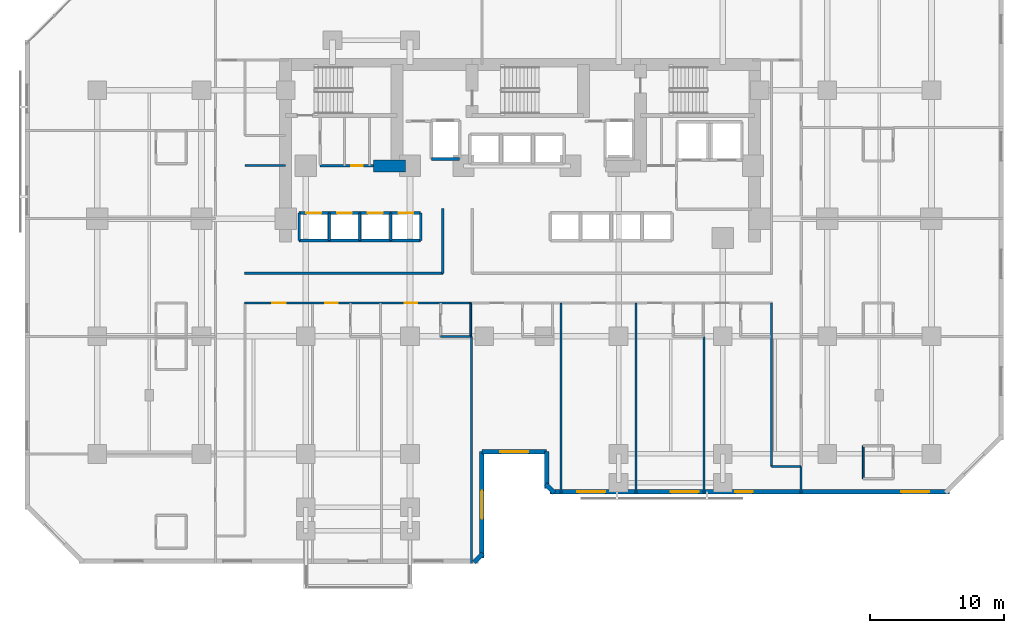
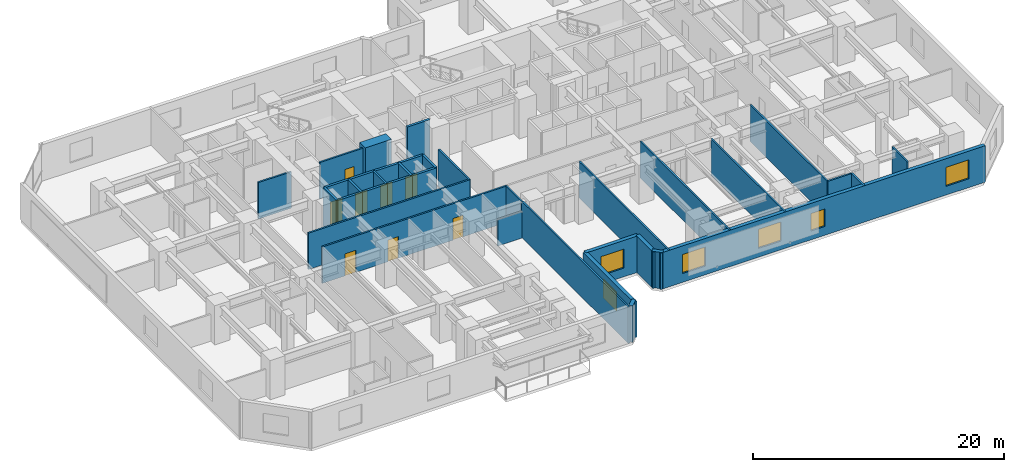
# One storey, part 6 of 12: 36 walls, 8 doors, 6 windows, 14 openings.
"""IFC4 building model written with IfcOpenShell, lengths in metres."""

from ifc_helpers import new_model, si_unit, direction, frame, frame_2d, origin, place, context, subcontext, project, spatial, rectangle, extrude, material, layer, layer_set, type_object, element, fill, save


model = new_model("IFC4")

# Units and contexts
model_context = context("Model", 3, precision=1e-05, world=origin(), true_north=direction((0.0, 1.0)))
body_context = subcontext(model_context, "Body", "Model", "MODEL_VIEW")
ifc_project = project(units=[si_unit("LENGTHUNIT", "METRE"), si_unit("AREAUNIT", "SQUARE_METRE"), si_unit("VOLUMEUNIT", "CUBIC_METRE"), si_unit("PLANEANGLEUNIT", "RADIAN"), si_unit("MASSUNIT", "GRAM", prefix="KILO")], contexts=[model_context])

# Site, building, storey
site_placement = place(None, origin())
site = spatial("IfcSite", under=ifc_project, at=site_placement, CompositionType="ELEMENT")
building_placement = place(site_placement, origin())
building = spatial("IfcBuilding", under=site, at=building_placement, Name="Kestravale Grand Hotel", CompositionType="ELEMENT")
storey_placement = place(building_placement, frame((0.0, 0.0, 41.199951171875)))
storey = spatial("IfcBuildingStorey", under=building, at=storey_placement, Name="L09", CompositionType="ELEMENT", Elevation=41.199951171875)

# Walls
ifc_material_1 = material(Name="Concrete f'c 70 MPa", Category="concrete")
ifc_layer_1 = layer(ifc_material_1, 0.89990234375)
ifc_layer_set_1 = layer_set([ifc_layer_1], Name="EW-CORE-900")
wall_type_1 = type_object("IfcWallType", Name="EW-CORE-900", PredefinedType="SHEAR", material=ifc_layer_set_1)
wall_1_placement = place(storey_placement, frame((28.449951171875, 32.75, 0.0), z_axis=(0.0, 0.0, 1.0), x_axis=(1.0, 0.0, 0.0)))
element("IfcWall", 1, at=wall_1_placement, inside=storey, type_object=wall_type_1, Name="L09 core shear wall S1", PredefinedType="SHEAR", context=body_context, shape_type="SweptSolid", body=[
    extrude(rectangle(XDim=2.400146484375, YDim=0.89990234375, at=frame_2d((1.2001953125, 0.0))), origin(), (0.0, 0.0, 1.0), 3.800048828125),
])
ifc_material_2 = material(Name="Precast concrete f'c 45 MPa", Category="concrete")
ifc_layer_2 = layer(ifc_material_2, 0.340087890625)
ifc_layer_set_2 = layer_set([ifc_layer_2], Name="EW-PREC-340")
wall_type_2 = type_object("IfcWallType", Name="EW-PREC-340", PredefinedType="SOLIDWALL", material=ifc_layer_set_2)
wall_2_placement = place(storey_placement, frame((36.00146484375, 3.091796875, 0.0), z_axis=(0.0, 0.0, 1.0), x_axis=(0.707106781187, 0.707106781187, 0.0)))
element("IfcWall", 2, at=wall_2_placement, inside=storey, type_object=wall_type_2, Name="L09 fluted precast facade wall 2", PredefinedType="SOLIDWALL", context=body_context, shape_type="SweptSolid", body=[
    extrude(rectangle(XDim=0.9287109375, YDim=0.340087890625, at=frame_2d((0.46435546875, 0.0))), origin(), (0.0, 0.0, 1.0), 3.5400390625),
])

# Wall, opening, window
wall_3_placement = place(storey_placement, frame((36.580078125, 3.429931640625, 0.0), z_axis=(0.0, 0.0, 1.0), x_axis=(0.0, 1.0, 0.0)))
wall_3 = element("IfcWall", 3, at=wall_3_placement, inside=storey, type_object=wall_type_2, Name="L09 fluted precast facade wall 3", PredefinedType="SOLIDWALL", context=body_context, shape_type="SweptSolid", body=[
    extrude(rectangle(XDim=7.940185546875, YDim=0.340087890625, at=frame_2d((3.97021484375, 0.0))), origin(), (0.0, 0.0, 1.0), 3.5400390625),
])
opening_1_placement = place(wall_3_placement, frame((2.919921875, 0.0, 0.85009765625)))
opening_1 = element("IfcOpeningElement", 4, at=opening_1_placement, cuts=wall_3, Name="Opening W-GUEST-2100", PredefinedType="OPENING", context=body_context, shape_type="SweptSolid", body=[
    extrude(rectangle(XDim=2.10009765625, YDim=1.85009765625, at=frame_2d((1.050048828125, 0.925048828125))), frame((0.0, 0.179931640625, 0.0), z_axis=(0.0, -1.0, 0.0), x_axis=(1.0, 0.0, 0.0)), (0.0, 0.0, 1.0), 0.360107421875),
])
ifc_material_3 = material(Name="Insulated low-E double glazing in aluminium frame", Category="aluminium")
window_type_1 = type_object("IfcWindowType", Name="W-GUEST-2100", PartitioningType="DOUBLE_PANEL_VERTICAL", PredefinedType="WINDOW", material=ifc_material_3)
window_1_placement = place(opening_1_placement, origin())
window_1 = element("IfcWindow", 5, at=window_1_placement, inside=storey, type_object=window_type_1, Name="L09 exterior window 3.1", OverallHeight=1.85009765625, OverallWidth=2.10009765625, PartitioningType="SINGLE_PANEL", PredefinedType="WINDOW", context=body_context, shape_type="SweptSolid", body=[
    extrude(rectangle(XDim=2.10009765625, YDim=1.85009765625, at=frame_2d((1.050048828125, 0.925048828125))), frame((0.0, 0.030029296875, 0.0), z_axis=(0.0, -1.0, 0.0), x_axis=(1.0, 0.0, 0.0)), (0.0, 0.0, 1.0), 0.06005859375),
])
fill(opening_1, window_1)

wall_4_placement = place(storey_placement, frame((36.580078125, 11.3701171875, 0.0), z_axis=(0.0, 0.0, 1.0), x_axis=(1.0, 0.0, 0.0)))
wall_4 = element("IfcWall", 6, at=wall_4_placement, inside=storey, type_object=wall_type_2, Name="L09 fluted precast facade wall 4", PredefinedType="SOLIDWALL", context=body_context, shape_type="SweptSolid", body=[
    extrude(rectangle(XDim=4.83984375, YDim=0.340087890625, at=frame_2d((2.419921875, 0.0))), origin(), (0.0, 0.0, 1.0), 3.5400390625),
])
opening_2_placement = place(wall_4_placement, frame((1.3701171875, 0.0, 0.85009765625)))
opening_2 = element("IfcOpeningElement", 7, at=opening_2_placement, cuts=wall_4, Name="Opening W-GUEST-2100", PredefinedType="OPENING", context=body_context, shape_type="SweptSolid", body=[
    extrude(rectangle(XDim=2.10009765625, YDim=1.85009765625, at=frame_2d((1.050048828125, 0.925048828125))), frame((0.0, 0.179931640625, 0.0), z_axis=(0.0, -1.0, 0.0), x_axis=(1.0, 0.0, 0.0)), (0.0, 0.0, 1.0), 0.360107421875),
])
window_2_placement = place(opening_2_placement, origin())
window_2 = element("IfcWindow", 8, at=window_2_placement, inside=storey, type_object=window_type_1, Name="L09 exterior window 4.1", OverallHeight=1.85009765625, OverallWidth=2.10009765625, PartitioningType="SINGLE_PANEL", PredefinedType="WINDOW", context=body_context, shape_type="SweptSolid", body=[
    extrude(rectangle(XDim=2.10009765625, YDim=1.85009765625, at=frame_2d((1.050048828125, 0.925048828125))), frame((0.0, 0.030029296875, 0.0), z_axis=(0.0, -1.0, 0.0), x_axis=(1.0, 0.0, 0.0)), (0.0, 0.0, 1.0), 0.06005859375),
])
fill(opening_2, window_2)

# Walls
wall_5_placement = place(storey_placement, frame((41.419921875, 11.3701171875, 0.0), z_axis=(0.0, 0.0, 1.0), x_axis=(0.0, -1.0, 0.0)))
element("IfcWall", 9, at=wall_5_placement, inside=storey, type_object=wall_type_2, Name="L09 fluted precast facade wall 5", PredefinedType="SOLIDWALL", context=body_context, shape_type="SweptSolid", body=[
    extrude(rectangle(XDim=2.740234375, YDim=0.340087890625, at=frame_2d((1.3701171875, 0.0))), origin(), (0.0, 0.0, 1.0), 3.5400390625),
])
wall_6_placement = place(storey_placement, frame((41.341796875, 8.948486328125, 0.0), z_axis=(0.0, 0.0, 1.0), x_axis=(0.707238225886, -0.706975312048, 0.0)))
element("IfcWall", 10, at=wall_6_placement, inside=storey, type_object=wall_type_2, Name="L09 fluted precast facade wall 6", PredefinedType="SOLIDWALL", context=body_context, shape_type="SweptSolid", body=[
    extrude(rectangle(XDim=0.9287109375, YDim=0.340087890625, at=frame_2d((0.46435546875, 0.0))), origin(), (0.0, 0.0, 1.0), 3.5400390625),
])

# Wall, openings, windows
wall_7_placement = place(storey_placement, frame((41.679931640625, 8.3701171875, 0.0), z_axis=(0.0, 0.0, 1.0), x_axis=(1.0, 0.0, 0.0)))
wall_7 = element("IfcWall", 11, at=wall_7_placement, inside=storey, type_object=wall_type_2, Name="L09 fluted precast facade wall 7", PredefinedType="SOLIDWALL", context=body_context, shape_type="SweptSolid", body=[
    extrude(rectangle(XDim=29.89013671875, YDim=0.340087890625, at=frame_2d((14.945068359375, 0.0))), origin(), (0.0, 0.0, 1.0), 3.5400390625),
])
opening_3_placement = place(wall_7_placement, frame((2.0361328125, 0.0, 0.85009765625)))
opening_3 = element("IfcOpeningElement", 12, at=opening_3_placement, cuts=wall_7, Name="Opening W-GUEST-2100", PredefinedType="OPENING", context=body_context, shape_type="SweptSolid", body=[
    extrude(rectangle(XDim=2.10009765625, YDim=1.85009765625, at=frame_2d((1.050048828125, 0.925048828125))), frame((0.0, 0.179931640625, 0.0), z_axis=(0.0, -1.0, 0.0), x_axis=(1.0, 0.0, 0.0)), (0.0, 0.0, 1.0), 0.360107421875),
])
opening_4_placement = place(wall_7_placement, frame((9.0087890625, 0.0, 0.85009765625)))
opening_4 = element("IfcOpeningElement", 13, at=opening_4_placement, cuts=wall_7, Name="Opening W-GUEST-2100", PredefinedType="OPENING", context=body_context, shape_type="SweptSolid", body=[
    extrude(rectangle(XDim=2.10009765625, YDim=1.85009765625, at=frame_2d((1.050048828125, 0.925048828125))), frame((0.0, 0.179931640625, 0.0), z_axis=(0.0, -1.0, 0.0), x_axis=(1.0, 0.0, 0.0)), (0.0, 0.0, 1.0), 0.360107421875),
])
opening_5_placement = place(wall_7_placement, frame((26.253662109375, 0.0, 0.85009765625)))
opening_5 = element("IfcOpeningElement", 14, at=opening_5_placement, cuts=wall_7, Name="Opening W-GUEST-2100", PredefinedType="OPENING", context=body_context, shape_type="SweptSolid", body=[
    extrude(rectangle(XDim=2.10009765625, YDim=1.85009765625, at=frame_2d((1.050048828125, 0.925048828125))), frame((0.0, 0.179931640625, 0.0), z_axis=(0.0, -1.0, 0.0), x_axis=(1.0, 0.0, 0.0)), (0.0, 0.0, 1.0), 0.360107421875),
])
opening_6_placement = place(wall_7_placement, frame((13.844970703125, 0.0, 0.85009765625)))
opening_6 = element("IfcOpeningElement", 15, at=opening_6_placement, cuts=wall_7, Name="Opening W-GUEST-1300", PredefinedType="OPENING", context=body_context, shape_type="SweptSolid", body=[
    extrude(rectangle(XDim=1.300048828125, YDim=1.699951171875, at=frame_2d((0.64990234375, 0.85009765625))), frame((0.0, 0.179931640625, 0.0), z_axis=(0.0, -1.0, 0.0), x_axis=(1.0, 0.0, 0.0)), (0.0, 0.0, 1.0), 0.360107421875),
])
ifc_material_4 = material(Name="Insulated low-E double glazing in aluminium frame", Category="aluminium")
window_type_2 = type_object("IfcWindowType", Name="W-GUEST-1300", PartitioningType="SINGLE_PANEL", PredefinedType="WINDOW", material=ifc_material_4)
window_3_placement = place(opening_6_placement, origin())
window_3 = element("IfcWindow", 16, at=window_3_placement, inside=storey, type_object=window_type_2, Name="L09 guestroom envelope window 1", OverallHeight=1.699951171875, OverallWidth=1.300048828125, PartitioningType="SINGLE_PANEL", PredefinedType="WINDOW", context=body_context, shape_type="SweptSolid", body=[
    extrude(rectangle(XDim=1.300048828125, YDim=1.699951171875, at=frame_2d((0.64990234375, 0.85009765625))), frame((0.0, 0.030029296875, 0.0), z_axis=(0.0, -1.0, 0.0), x_axis=(1.0, 0.0, 0.0)), (0.0, 0.0, 1.0), 0.06005859375),
])
fill(opening_6, window_3)
window_4_placement = place(opening_3_placement, origin())
window_4 = element("IfcWindow", 17, at=window_4_placement, inside=storey, type_object=window_type_1, Name="L09 exterior window 7.1", OverallHeight=1.85009765625, OverallWidth=2.10009765625, PartitioningType="SINGLE_PANEL", PredefinedType="WINDOW", context=body_context, shape_type="SweptSolid", body=[
    extrude(rectangle(XDim=2.10009765625, YDim=1.85009765625, at=frame_2d((1.050048828125, 0.925048828125))), frame((0.0, 0.030029296875, 0.0), z_axis=(0.0, -1.0, 0.0), x_axis=(1.0, 0.0, 0.0)), (0.0, 0.0, 1.0), 0.06005859375),
])
fill(opening_3, window_4)
window_5_placement = place(opening_4_placement, origin())
window_5 = element("IfcWindow", 18, at=window_5_placement, inside=storey, type_object=window_type_1, Name="L09 exterior window 7.2", OverallHeight=1.85009765625, OverallWidth=2.10009765625, PartitioningType="SINGLE_PANEL", PredefinedType="WINDOW", context=body_context, shape_type="SweptSolid", body=[
    extrude(rectangle(XDim=2.10009765625, YDim=1.85009765625, at=frame_2d((1.050048828125, 0.925048828125))), frame((0.0, 0.030029296875, 0.0), z_axis=(0.0, -1.0, 0.0), x_axis=(1.0, 0.0, 0.0)), (0.0, 0.0, 1.0), 0.06005859375),
])
fill(opening_4, window_5)
window_6_placement = place(opening_5_placement, origin())
window_6 = element("IfcWindow", 19, at=window_6_placement, inside=storey, type_object=window_type_1, Name="L09 exterior window 7.3", OverallHeight=1.85009765625, OverallWidth=2.10009765625, PartitioningType="SINGLE_PANEL", PredefinedType="WINDOW", context=body_context, shape_type="SweptSolid", body=[
    extrude(rectangle(XDim=2.10009765625, YDim=1.85009765625, at=frame_2d((1.050048828125, 0.925048828125))), frame((0.0, 0.030029296875, 0.0), z_axis=(0.0, -1.0, 0.0), x_axis=(1.0, 0.0, 0.0)), (0.0, 0.0, 1.0), 0.06005859375),
])
fill(opening_5, window_6)

# Wall, opening, door
ifc_material_5 = material(Name="Acoustic fire-rated gypsum board partition", Category="other")
ifc_layer_3 = layer(ifc_material_5, 0.159912109375)
ifc_layer_set_3 = layer_set([ifc_layer_3], Name="IW-CORR-160")
wall_type_3 = type_object("IfcWallType", Name="IW-CORR-160", PredefinedType="PARTITIONING", material=ifc_layer_set_3)
wall_8_placement = place(storey_placement, frame((24.47998046875, 32.75, 0.0), z_axis=(0.0, 0.0, 1.0), x_axis=(1.0, 0.0, 0.0)))
wall_8 = element("IfcWall", 20, at=wall_8_placement, inside=storey, type_object=wall_type_3, Name="W-L09-CWS", PredefinedType="PARTITIONING", context=body_context, shape_type="SweptSolid", body=[
    extrude(rectangle(XDim=3.969970703125, YDim=0.159912109375, at=frame_2d((1.98486328125, 0.0))), origin(), (0.0, 0.0, 1.0), 3.5400390625),
])
opening_7_placement = place(wall_8_placement, frame((2.31005859375, 0.0, 0.0)))
opening_7 = element("IfcOpeningElement", 21, at=opening_7_placement, cuts=wall_8, Name="Opening D-SH-860", PredefinedType="OPENING", context=body_context, shape_type="SweptSolid", body=[
    extrude(rectangle(XDim=0.860107421875, YDim=2.050048828125, at=frame_2d((0.43017578125, 1.02490234375))), frame((0.0, 0.08984375, 0.0), z_axis=(0.0, -1.0, 0.0), x_axis=(1.0, 0.0, 0.0)), (0.0, 0.0, 1.0), 0.179931640625),
])
ifc_material_6 = material(Name="Galvanised 90-minute riser fire door", Category="steel")
door_type_1 = type_object("IfcDoorType", Name="D-SH-860", OperationType="NOTDEFINED", PredefinedType="DOOR", material=ifc_material_6)
door_1_placement = place(opening_7_placement, origin())
door_1 = element("IfcDoor", 22, at=door_1_placement, inside=storey, type_object=door_type_1, Name="D-L09-IDF", OperationType="SINGLE_SWING_RIGHT", OverallHeight=2.050048828125, OverallWidth=0.860107421875, PredefinedType="DOOR", context=body_context, shape_type="SweptSolid", body=[
    extrude(rectangle(XDim=0.860107421875, YDim=2.050048828125, at=frame_2d((0.43017578125, 1.02490234375))), frame((0.0, 0.02490234375, 0.0), z_axis=(0.0, -1.0, 0.0), x_axis=(1.0, 0.0, 0.0)), (0.0, 0.0, 1.0), 0.050048828125),
])
fill(opening_7, door_1)

# Walls
wall_9_placement = place(storey_placement, frame((18.800048828125, 24.7099609375, 0.0), z_axis=(0.0, 0.0, 1.0), x_axis=(1.0, 0.0, 0.0)))
element("IfcWall", 23, at=wall_9_placement, inside=storey, type_object=wall_type_3, Name="W-L09-CW-N", PredefinedType="PARTITIONING", context=body_context, shape_type="SweptSolid", body=[
    extrude(rectangle(XDim=14.849853515625, YDim=0.159912109375, at=frame_2d((7.4248046875, 0.0))), origin(), (0.0, 0.0, 1.0), 3.5400390625),
])
wall_10_placement = place(storey_placement, frame((33.64990234375, 24.7099609375, 0.0), z_axis=(0.0, 0.0, 1.0), x_axis=(0.0, 1.0, 0.0)))
element("IfcWall", 24, at=wall_10_placement, inside=storey, type_object=wall_type_3, Name="W-L09-TRUNK-W", PredefinedType="PARTITIONING", context=body_context, shape_type="SweptSolid", body=[
    extrude(rectangle(XDim=4.840087890625, YDim=0.159912109375, at=frame_2d((2.419921875, 0.0))), origin(), (0.0, 0.0, 1.0), 3.5400390625),
])

# Wall, openings, doors
wall_11_placement = place(storey_placement, frame((18.800048828125, 22.489990234375, 0.0), z_axis=(0.0, 0.0, 1.0), x_axis=(1.0, 0.0, 0.0)))
wall_11 = element("IfcWall", 25, at=wall_11_placement, inside=storey, type_object=wall_type_3, Name="W-L09-CW-S", PredefinedType="PARTITIONING", context=body_context, shape_type="SweptSolid", body=[
    extrude(rectangle(XDim=17.0, YDim=0.159912109375, at=frame_2d((8.5, 0.0))), origin(), (0.0, 0.0, 1.0), 3.5400390625),
])
opening_8_placement = place(wall_11_placement, frame((2.0849609375, 0.0, 0.0)))
opening_8 = element("IfcOpeningElement", 26, at=opening_8_placement, cuts=wall_11, Name="Opening D-GUEST-1000", PredefinedType="OPENING", context=body_context, shape_type="SweptSolid", body=[
    extrude(rectangle(XDim=1.0, YDim=2.14990234375, at=frame_2d((0.5, 1.074951171875))), frame((0.0, 0.08984375, 0.0), z_axis=(0.0, -1.0, 0.0), x_axis=(1.0, 0.0, 0.0)), (0.0, 0.0, 1.0), 0.179931640625),
])
opening_9_placement = place(wall_11_placement, frame((6.0517578125, 0.0, 0.0)))
opening_9 = element("IfcOpeningElement", 27, at=opening_9_placement, cuts=wall_11, Name="Opening D-GUEST-950", PredefinedType="OPENING", context=body_context, shape_type="SweptSolid", body=[
    extrude(rectangle(XDim=0.949951171875, YDim=2.10009765625, at=frame_2d((0.47509765625, 1.050048828125))), frame((0.0, 0.08984375, 0.0), z_axis=(0.0, -1.0, 0.0), x_axis=(1.0, 0.0, 0.0)), (0.0, 0.0, 1.0), 0.179931640625),
])
opening_10_placement = place(wall_11_placement, frame((11.99658203125, 0.0, 0.0)))
opening_10 = element("IfcOpeningElement", 28, at=opening_10_placement, cuts=wall_11, Name="Opening D-GUEST-950", PredefinedType="OPENING", context=body_context, shape_type="SweptSolid", body=[
    extrude(rectangle(XDim=0.949951171875, YDim=2.10009765625, at=frame_2d((0.47509765625, 1.050048828125))), frame((0.0, 0.08984375, 0.0), z_axis=(0.0, -1.0, 0.0), x_axis=(1.0, 0.0, 0.0)), (0.0, 0.0, 1.0), 0.179931640625),
])
ifc_material_7 = material(Name="Accessible walnut veneer hotel entrance fire door", Category="wood")
door_type_2 = type_object("IfcDoorType", Name="D-GUEST-1000", OperationType="NOTDEFINED", PredefinedType="DOOR", material=ifc_material_7)
door_2_placement = place(opening_8_placement, origin())
door_2 = element("IfcDoor", 29, at=door_2_placement, inside=storey, type_object=door_type_2, Name="D-L09-AMW", OperationType="SINGLE_SWING_LEFT", OverallHeight=2.14990234375, OverallWidth=1.0, PredefinedType="DOOR", context=body_context, shape_type="SweptSolid", body=[
    extrude(rectangle(XDim=1.0, YDim=2.14990234375, at=frame_2d((0.5, 1.074951171875))), frame((0.0, 0.02490234375, 0.0), z_axis=(0.0, -1.0, 0.0), x_axis=(1.0, 0.0, 0.0)), (0.0, 0.0, 1.0), 0.050048828125),
])
fill(opening_8, door_2)
ifc_material_8 = material(Name="Walnut veneer hotel guestroom entrance fire door", Category="wood")
door_type_3 = type_object("IfcDoorType", Name="D-GUEST-950", OperationType="NOTDEFINED", PredefinedType="DOOR", material=ifc_material_8)
door_3_placement = place(opening_9_placement, origin())
door_3 = element("IfcDoor", 30, at=door_3_placement, inside=storey, type_object=door_type_3, Name="D-L09-U01-ENT", OperationType="SINGLE_SWING_LEFT", OverallHeight=2.10009765625, OverallWidth=0.949951171875, PredefinedType="DOOR", context=body_context, shape_type="SweptSolid", body=[
    extrude(rectangle(XDim=0.949951171875, YDim=2.10009765625, at=frame_2d((0.47509765625, 1.050048828125))), frame((0.0, 0.02490234375, 0.0), z_axis=(0.0, -1.0, 0.0), x_axis=(1.0, 0.0, 0.0)), (0.0, 0.0, 1.0), 0.050048828125),
])
fill(opening_9, door_3)
door_4_placement = place(opening_10_placement, origin())
door_4 = element("IfcDoor", 31, at=door_4_placement, inside=storey, type_object=door_type_3, Name="D-L09-U02-ENT", OperationType="SINGLE_SWING_LEFT", OverallHeight=2.10009765625, OverallWidth=0.949951171875, PredefinedType="DOOR", context=body_context, shape_type="SweptSolid", body=[
    extrude(rectangle(XDim=0.949951171875, YDim=2.10009765625, at=frame_2d((0.47509765625, 1.050048828125))), frame((0.0, 0.02490234375, 0.0), z_axis=(0.0, -1.0, 0.0), x_axis=(1.0, 0.0, 0.0)), (0.0, 0.0, 1.0), 0.050048828125),
])
fill(opening_10, door_4)

# Walls
wall_12_placement = place(storey_placement, frame((18.860107421875, 32.780029296875, 0.0), z_axis=(0.0, 0.0, 1.0), x_axis=(1.0, 0.0, 0.0)))
element("IfcWall", 32, at=wall_12_placement, inside=storey, type_object=wall_type_3, Name="W-L09-SW-CS", PredefinedType="PARTITIONING", context=body_context, shape_type="SweptSolid", body=[
    extrude(rectangle(XDim=3.039794921875, YDim=0.159912109375, at=frame_2d((1.52001953125, 0.0))), origin(), (0.0, 0.0, 1.0), 3.5400390625),
])
wall_13_placement = place(storey_placement, frame((58.239990234375, 10.25, 0.0), z_axis=(0.0, 0.0, 1.0), x_axis=(0.0, 1.0, 0.0)))
element("IfcWall", 33, at=wall_13_placement, inside=storey, type_object=wall_type_3, Name="W-L09-SE-W", PredefinedType="PARTITIONING", context=body_context, shape_type="SweptSolid", body=[
    extrude(rectangle(XDim=12.239990234375, YDim=0.159912109375, at=frame_2d((6.1201171875, 0.0))), origin(), (0.0, 0.0, 1.0), 3.5400390625),
])
ifc_material_9 = material(Name="Moisture-resistant tile-backer plumbing chase wall", Category="other")
ifc_layer_4 = layer(ifc_material_9, 0.139892578125)
ifc_layer_set_4 = layer_set([ifc_layer_4], Name="IW-PLB-140")
wall_type_4 = type_object("IfcWallType", Name="IW-PLB-140", PredefinedType="PLUMBINGWALL", material=ifc_layer_set_4)
wall_14_placement = place(storey_placement, frame((35.739990234375, 19.97998046875, 0.0), z_axis=(0.0, 0.0, 1.0), x_axis=(0.0, 1.0, 0.0)))
element("IfcWall", 34, at=wall_14_placement, inside=storey, type_object=wall_type_4, Name="W-L09-U02-BE", PredefinedType="PLUMBINGWALL", context=body_context, shape_type="SweptSolid", body=[
    extrude(rectangle(XDim=2.489990234375, YDim=0.139892578125, at=frame_2d((1.2451171875, 0.0))), origin(), (0.0, 0.0, 1.0), 3.5400390625),
])
wall_15_placement = place(storey_placement, frame((33.489990234375, 19.97998046875, 0.0), z_axis=(0.0, 0.0, 1.0), x_axis=(1.0, 0.0, 0.0)))
element("IfcWall", 35, at=wall_15_placement, inside=storey, type_object=wall_type_4, Name="W-L09-U02-BS", PredefinedType="PLUMBINGWALL", context=body_context, shape_type="SweptSolid", body=[
    extrude(rectangle(XDim=2.25, YDim=0.139892578125, at=frame_2d((1.125, 0.0))), origin(), (0.0, 0.0, 1.0), 2.593017578125),
])
wall_16_placement = place(storey_placement, frame((65.10009765625, 9.35009765625, 0.0), z_axis=(0.0, 0.0, 1.0), x_axis=(0.0, 1.0, 0.0)))
element("IfcWall", 36, at=wall_16_placement, inside=storey, type_object=wall_type_4, Name="W-L09-U10-BW", PredefinedType="PLUMBINGWALL", context=body_context, shape_type="SweptSolid", body=[
    extrude(rectangle(XDim=2.449951171875, YDim=0.139892578125, at=frame_2d((1.22509765625, 0.0))), origin(), (0.0, 0.0, 1.0), 3.5400390625),
])
ifc_material_10 = material(Name="Concrete f'c 45 MPa", Category="concrete")
ifc_layer_5 = layer(ifc_material_10, 0.199951171875)
ifc_layer_set_5 = layer_set([ifc_layer_5], Name="IW-SHAFT-200")
wall_type_5 = type_object("IfcWallType", Name="IW-SHAFT-200", PredefinedType="SHEAR", material=ifc_layer_set_5)
for number, where, z_axis, x_axis, name in (
    (37, (22.905029296875, 27.169921875, 0.0), (0.0, 0.0, 1.0), (0.0, 1.0, 0.0), "L09 PL-L1 west shaft wall"),
    (38, (25.14990234375, 27.169921875, 0.0), (0.0, 0.0, 1.0), (0.0, 1.0, 0.0), "L09 PL-L2 west shaft wall"),
    (39, (27.449951171875, 27.169921875, 0.0), (0.0, 0.0, 1.0), (0.0, 1.0, 0.0), "L09 PL-L3 west shaft wall"),
    (40, (29.75, 27.169921875, 0.0), (0.0, 0.0, 1.0), (0.0, 1.0, 0.0), "L09 PL-L4 west shaft wall"),
    (41, (31.9951171875, 27.169921875, 0.0), (0.0, 0.0, 1.0), (0.0, 1.0, 0.0), "L09 PL-L4 east shaft wall"),
):
    element("IfcWall", number, at=place(storey_placement, frame(where, z_axis=z_axis, x_axis=x_axis)), inside=storey, type_object=wall_type_5, Name=name, PredefinedType="SHEAR", context=body_context, shape_type="SweptSolid", body=[
        extrude(rectangle(XDim=2.06005859375, YDim=0.199951171875, at=frame_2d((1.030029296875, 0.0))), origin(), (0.0, 0.0, 1.0), 3.800048828125),
    ])

# Wall, opening, door
ifc_material_11 = material(Name="Concrete f'c 45 MPa", Category="concrete")
ifc_layer_6 = layer(ifc_material_11, 0.219970703125)
ifc_layer_set_6 = layer_set([ifc_layer_6], Name="IW-SHAFT-220")
wall_type_6 = type_object("IfcWallType", Name="IW-SHAFT-220", PredefinedType="SHEAR", material=ifc_layer_set_6)
wall_17_placement = place(storey_placement, frame((22.905029296875, 29.22998046875, 0.0), z_axis=(0.0, 0.0, 1.0), x_axis=(1.0, 0.0, 0.0)))
wall_17 = element("IfcWall", 42, at=wall_17_placement, inside=storey, type_object=wall_type_6, Name="L09 PL-L1 north shaft wall", PredefinedType="SHEAR", context=body_context, shape_type="SweptSolid", body=[
    extrude(rectangle(XDim=2.244873046875, YDim=0.219970703125, at=frame_2d((1.12255859375, 0.0))), origin(), (0.0, 0.0, 1.0), 3.800048828125),
])
opening_11_placement = place(wall_17_placement, frame((0.544921875, 0.0, 0.0)))
opening_11 = element("IfcOpeningElement", 43, at=opening_11_placement, cuts=wall_17, Name="Opening LD-PAX-1100", PredefinedType="OPENING", context=body_context, shape_type="SweptSolid", body=[
    extrude(rectangle(XDim=1.10009765625, YDim=2.14990234375, at=frame_2d((0.550048828125, 1.074951171875))), frame((0.0, 0.119873046875, 0.0), z_axis=(0.0, -1.0, 0.0), x_axis=(1.0, 0.0, 0.0)), (0.0, 0.0, 1.0), 0.239990234375),
])
ifc_material_12 = material(Name="Champagne-bronze center-opening sliding elevator landing door", Category="steel")
door_type_4 = type_object("IfcDoorType", Name="LD-PAX-1100", OperationType="NOTDEFINED", PredefinedType="DOOR", material=ifc_material_12)
door_5_placement = place(opening_11_placement, origin())
door_5 = element("IfcDoor", 44, at=door_5_placement, inside=storey, type_object=door_type_4, Name="L09 PL-L1 elevator landing sliding door", OperationType="DOUBLE_DOOR_SLIDING", OverallHeight=2.14990234375, OverallWidth=1.10009765625, PredefinedType="DOOR", context=body_context, shape_type="SweptSolid", body=[
    extrude(rectangle(XDim=1.10009765625, YDim=2.14990234375, at=frame_2d((0.550048828125, 1.074951171875))), frame((0.0, 0.02490234375, 0.0), z_axis=(0.0, -1.0, 0.0), x_axis=(1.0, 0.0, 0.0)), (0.0, 0.0, 1.0), 0.050048828125),
])
fill(opening_11, door_5)

# Wall
wall_18_placement = place(storey_placement, frame((22.905029296875, 27.169921875, 0.0), z_axis=(0.0, 0.0, 1.0), x_axis=(1.0, 0.0, 0.0)))
element("IfcWall", 45, at=wall_18_placement, inside=storey, type_object=wall_type_6, Name="L09 PL-L1 south shaft wall", PredefinedType="SHEAR", context=body_context, shape_type="SweptSolid", body=[
    extrude(rectangle(XDim=2.244873046875, YDim=0.219970703125, at=frame_2d((1.12255859375, 0.0))), origin(), (0.0, 0.0, 1.0), 3.800048828125),
])

# Wall, opening, door
wall_19_placement = place(storey_placement, frame((25.14990234375, 29.22998046875, 0.0), z_axis=(0.0, 0.0, 1.0), x_axis=(1.0, 0.0, 0.0)))
wall_19 = element("IfcWall", 46, at=wall_19_placement, inside=storey, type_object=wall_type_6, Name="L09 PL-L2 north shaft wall", PredefinedType="SHEAR", context=body_context, shape_type="SweptSolid", body=[
    extrude(rectangle(XDim=2.300048828125, YDim=0.219970703125, at=frame_2d((1.14990234375, 0.0))), origin(), (0.0, 0.0, 1.0), 3.800048828125),
])
opening_12_placement = place(wall_19_placement, frame((0.60009765625, 0.0, 0.0)))
opening_12 = element("IfcOpeningElement", 47, at=opening_12_placement, cuts=wall_19, Name="Opening LD-PAX-1100", PredefinedType="OPENING", context=body_context, shape_type="SweptSolid", body=[
    extrude(rectangle(XDim=1.10009765625, YDim=2.14990234375, at=frame_2d((0.550048828125, 1.074951171875))), frame((0.0, 0.119873046875, 0.0), z_axis=(0.0, -1.0, 0.0), x_axis=(1.0, 0.0, 0.0)), (0.0, 0.0, 1.0), 0.239990234375),
])
door_6_placement = place(opening_12_placement, origin())
door_6 = element("IfcDoor", 48, at=door_6_placement, inside=storey, type_object=door_type_4, Name="L09 PL-L2 elevator landing sliding door", OperationType="DOUBLE_DOOR_SLIDING", OverallHeight=2.14990234375, OverallWidth=1.10009765625, PredefinedType="DOOR", context=body_context, shape_type="SweptSolid", body=[
    extrude(rectangle(XDim=1.10009765625, YDim=2.14990234375, at=frame_2d((0.550048828125, 1.074951171875))), frame((0.0, 0.02490234375, 0.0), z_axis=(0.0, -1.0, 0.0), x_axis=(1.0, 0.0, 0.0)), (0.0, 0.0, 1.0), 0.050048828125),
])
fill(opening_12, door_6)

# Wall
wall_20_placement = place(storey_placement, frame((25.14990234375, 27.169921875, 0.0), z_axis=(0.0, 0.0, 1.0), x_axis=(1.0, 0.0, 0.0)))
element("IfcWall", 49, at=wall_20_placement, inside=storey, type_object=wall_type_6, Name="L09 PL-L2 south shaft wall", PredefinedType="SHEAR", context=body_context, shape_type="SweptSolid", body=[
    extrude(rectangle(XDim=2.300048828125, YDim=0.219970703125, at=frame_2d((1.14990234375, 0.0))), origin(), (0.0, 0.0, 1.0), 3.800048828125),
])

# Wall, opening, door
wall_21_placement = place(storey_placement, frame((27.449951171875, 29.22998046875, 0.0), z_axis=(0.0, 0.0, 1.0), x_axis=(1.0, 0.0, 0.0)))
wall_21 = element("IfcWall", 50, at=wall_21_placement, inside=storey, type_object=wall_type_6, Name="L09 PL-L3 north shaft wall", PredefinedType="SHEAR", context=body_context, shape_type="SweptSolid", body=[
    extrude(rectangle(XDim=2.300048828125, YDim=0.219970703125, at=frame_2d((1.14990234375, 0.0))), origin(), (0.0, 0.0, 1.0), 3.800048828125),
])
opening_13_placement = place(wall_21_placement, frame((0.60009765625, 0.0, 0.0)))
opening_13 = element("IfcOpeningElement", 51, at=opening_13_placement, cuts=wall_21, Name="Opening LD-PAX-1100", PredefinedType="OPENING", context=body_context, shape_type="SweptSolid", body=[
    extrude(rectangle(XDim=1.10009765625, YDim=2.14990234375, at=frame_2d((0.550048828125, 1.074951171875))), frame((0.0, 0.119873046875, 0.0), z_axis=(0.0, -1.0, 0.0), x_axis=(1.0, 0.0, 0.0)), (0.0, 0.0, 1.0), 0.239990234375),
])
door_7_placement = place(opening_13_placement, origin())
door_7 = element("IfcDoor", 52, at=door_7_placement, inside=storey, type_object=door_type_4, Name="L09 PL-L3 elevator landing sliding door", OperationType="DOUBLE_DOOR_SLIDING", OverallHeight=2.14990234375, OverallWidth=1.10009765625, PredefinedType="DOOR", context=body_context, shape_type="SweptSolid", body=[
    extrude(rectangle(XDim=1.10009765625, YDim=2.14990234375, at=frame_2d((0.550048828125, 1.074951171875))), frame((0.0, 0.02490234375, 0.0), z_axis=(0.0, -1.0, 0.0), x_axis=(1.0, 0.0, 0.0)), (0.0, 0.0, 1.0), 0.050048828125),
])
fill(opening_13, door_7)

# Wall
wall_22_placement = place(storey_placement, frame((27.449951171875, 27.169921875, 0.0), z_axis=(0.0, 0.0, 1.0), x_axis=(1.0, 0.0, 0.0)))
element("IfcWall", 53, at=wall_22_placement, inside=storey, type_object=wall_type_6, Name="L09 PL-L3 south shaft wall", PredefinedType="SHEAR", context=body_context, shape_type="SweptSolid", body=[
    extrude(rectangle(XDim=2.300048828125, YDim=0.219970703125, at=frame_2d((1.14990234375, 0.0))), origin(), (0.0, 0.0, 1.0), 3.800048828125),
])

# Wall, opening, door
wall_23_placement = place(storey_placement, frame((29.75, 29.22998046875, 0.0), z_axis=(0.0, 0.0, 1.0), x_axis=(1.0, 0.0, 0.0)))
wall_23 = element("IfcWall", 54, at=wall_23_placement, inside=storey, type_object=wall_type_6, Name="L09 PL-L4 north shaft wall", PredefinedType="SHEAR", context=body_context, shape_type="SweptSolid", body=[
    extrude(rectangle(XDim=2.2451171875, YDim=0.219970703125, at=frame_2d((1.12255859375, 0.0))), origin(), (0.0, 0.0, 1.0), 3.800048828125),
])
opening_14_placement = place(wall_23_placement, frame((0.60009765625, 0.0, 0.0)))
opening_14 = element("IfcOpeningElement", 55, at=opening_14_placement, cuts=wall_23, Name="Opening LD-PAX-1100", PredefinedType="OPENING", context=body_context, shape_type="SweptSolid", body=[
    extrude(rectangle(XDim=1.10009765625, YDim=2.14990234375, at=frame_2d((0.550048828125, 1.074951171875))), frame((0.0, 0.119873046875, 0.0), z_axis=(0.0, -1.0, 0.0), x_axis=(1.0, 0.0, 0.0)), (0.0, 0.0, 1.0), 0.239990234375),
])
door_8_placement = place(opening_14_placement, origin())
door_8 = element("IfcDoor", 56, at=door_8_placement, inside=storey, type_object=door_type_4, Name="L09 PL-L4 elevator landing sliding door", OperationType="DOUBLE_DOOR_SLIDING", OverallHeight=2.14990234375, OverallWidth=1.10009765625, PredefinedType="DOOR", context=body_context, shape_type="SweptSolid", body=[
    extrude(rectangle(XDim=1.10009765625, YDim=2.14990234375, at=frame_2d((0.550048828125, 1.074951171875))), frame((0.0, 0.02490234375, 0.0), z_axis=(0.0, -1.0, 0.0), x_axis=(1.0, 0.0, 0.0)), (0.0, 0.0, 1.0), 0.050048828125),
])
fill(opening_14, door_8)

# Walls
wall_24_placement = place(storey_placement, frame((29.75, 27.169921875, 0.0), z_axis=(0.0, 0.0, 1.0), x_axis=(1.0, 0.0, 0.0)))
element("IfcWall", 57, at=wall_24_placement, inside=storey, type_object=wall_type_6, Name="L09 PL-L4 south shaft wall", PredefinedType="SHEAR", context=body_context, shape_type="SweptSolid", body=[
    extrude(rectangle(XDim=2.2451171875, YDim=0.219970703125, at=frame_2d((1.12255859375, 0.0))), origin(), (0.0, 0.0, 1.0), 3.800048828125),
])
wall_25_placement = place(storey_placement, frame((32.804931640625, 33.2451171875, 0.0), z_axis=(0.0, 0.0, 1.0), x_axis=(1.0, 0.0, 0.0)))
element("IfcWall", 58, at=wall_25_placement, inside=storey, type_object=wall_type_6, Name="L09 FL-1 south shaft wall", PredefinedType="SHEAR", context=body_context, shape_type="SweptSolid", body=[
    extrude(rectangle(XDim=2.090087890625, YDim=0.219970703125, at=frame_2d((1.044921875, 0.0))), origin(), (0.0, 0.0, 1.0), 3.800048828125),
])
ifc_material_13 = material(Name="Double-stud STC 52 acoustic demising partition", Category="other")
ifc_layer_7 = layer(ifc_material_13, 0.14990234375)
ifc_layer_set_7 = layer_set([ifc_layer_7], Name="IW-UNIT-150")
wall_type_7 = type_object("IfcWallType", Name="IW-UNIT-150", PredefinedType="PARTITIONING", material=ifc_layer_set_7)
wall_26_placement = place(storey_placement, frame((58.239990234375, 10.25, 0.0), z_axis=(0.0, 0.0, 1.0), x_axis=(1.0, 0.0, 0.0)))
element("IfcWall", 59, at=wall_26_placement, inside=storey, type_object=wall_type_7, Name="W-L09-SE-S", PredefinedType="PARTITIONING", context=body_context, shape_type="SweptSolid", body=[
    extrude(rectangle(XDim=2.219970703125, YDim=0.14990234375, at=frame_2d((1.10986328125, 0.0))), origin(), (0.0, 0.0, 1.0), 3.5400390625),
])
wall_27_placement = place(storey_placement, frame((35.800048828125, 3.02001953125, 0.0), z_axis=(0.0, 0.0, 1.0), x_axis=(0.0, 1.0, 0.0)))
element("IfcWall", 60, at=wall_27_placement, inside=storey, type_object=wall_type_7, Name="W-L09-MID-S", PredefinedType="PARTITIONING", context=body_context, shape_type="SweptSolid", body=[
    extrude(rectangle(XDim=16.9599609375, YDim=0.14990234375, at=frame_2d((8.47998046875, 0.0))), origin(), (0.0, 0.0, 1.0), 3.5400390625),
])
for number, where, z_axis, x_axis, name in (
    (61, (42.510009765625, 8.219970703125, 0.0), (0.0, 0.0, 1.0), (0.0, 1.0, 0.0), "W-L09-ES-1"),
    (62, (48.1201171875, 8.219970703125, 0.0), (0.0, 0.0, 1.0), (0.0, 1.0, 0.0), "W-L09-ES-2"),
):
    element("IfcWall", number, at=place(storey_placement, frame(where, z_axis=z_axis, x_axis=x_axis)), inside=storey, type_object=wall_type_7, Name=name, PredefinedType="PARTITIONING", context=body_context, shape_type="SweptSolid", body=[
        extrude(rectangle(XDim=14.27001953125, YDim=0.14990234375, at=frame_2d((7.135009765625, 0.0))), origin(), (0.0, 0.0, 1.0), 3.5400390625),
    ])
wall_28_placement = place(storey_placement, frame((53.18994140625, 8.219970703125, 0.0), z_axis=(0.0, 0.0, 1.0), x_axis=(0.0, 1.0, 0.0)))
element("IfcWall", 63, at=wall_28_placement, inside=storey, type_object=wall_type_7, Name="W-L09-ES-3", PredefinedType="PARTITIONING", context=body_context, shape_type="SweptSolid", body=[
    extrude(rectangle(XDim=11.760009765625, YDim=0.14990234375, at=frame_2d((5.8798828125, 0.0))), origin(), (0.0, 0.0, 1.0), 3.5400390625),
])
wall_29_placement = place(storey_placement, frame((60.4599609375, 8.219970703125, 0.0), z_axis=(0.0, 0.0, 1.0), x_axis=(0.0, 1.0, 0.0)))
element("IfcWall", 64, at=wall_29_placement, inside=storey, type_object=wall_type_7, Name="W-L09-SE-EXT", PredefinedType="PARTITIONING", context=body_context, shape_type="SweptSolid", body=[
    extrude(rectangle(XDim=2.030029296875, YDim=0.14990234375, at=frame_2d((1.01513671875, 0.0))), origin(), (0.0, 0.0, 1.0), 3.5400390625),
])

save(model, "model.ifc")
